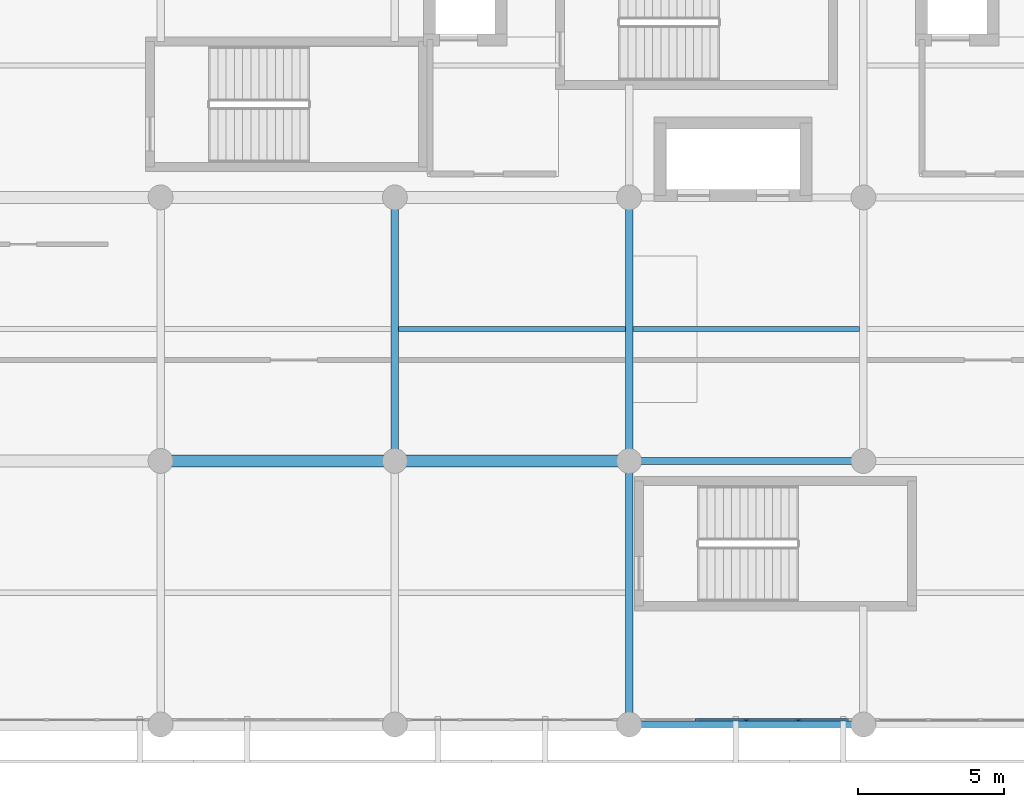
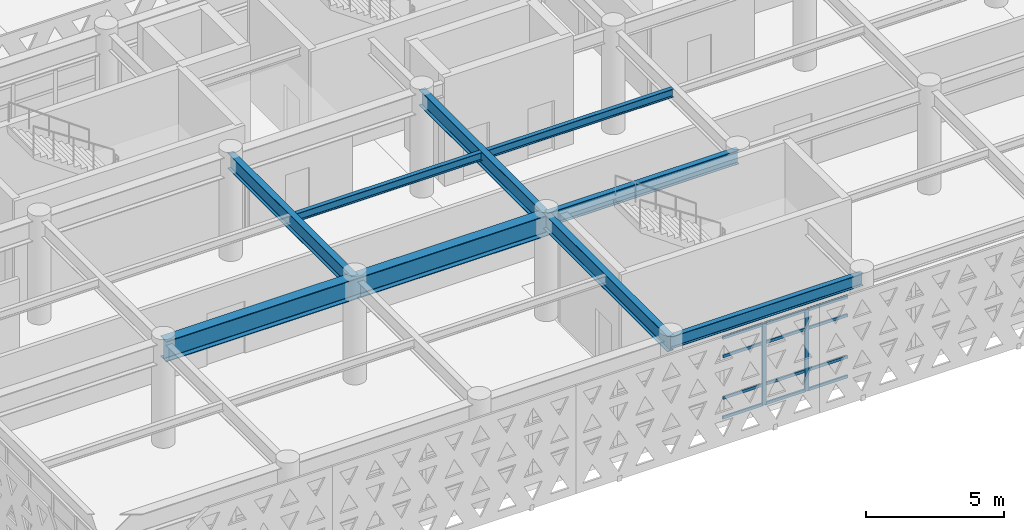
# One storey, part 8 of 54: 14 members, 8 beams, 1 element without a shape of its own.
"""IFC4 building model written with IfcOpenShell, lengths in metres."""

import ifcopenshell
import ifcopenshell.guid

model = None  # the IFC model being written
_history = None  # IfcOwnerHistory: only IFC2X3 demands one
_inside = {}  # id of a spatial element -> (the spatial element, [elements in it])
_under = {}  # id of a project, library or spatial element -> (it, [spatial elements below it])
_declared = {}  # id of a project -> (the project, [libraries it declares])
_typed = {}  # id of a type object -> (the type object, [elements of that type])
_made_of = {}  # id of a material, layer set ... -> (it, [elements and type objects made of it])


def new_model(schema):
    """Start an empty IFC model of exactly this schema.

    Asked for "IFC4X3", IfcOpenShell would pick the latest addendum, in which some entities
    have other attributes; the version numbers below select the first issue.
    IFC2X3 requires an IfcOwnerHistory on every rooted entity: one is made here for all.
    """
    global model, _history
    if schema == "IFC4X3":
        model = ifcopenshell.file(schema_version=(4, 3, 0, 0))
    else:
        model = ifcopenshell.file(schema=schema)
    _inside.clear()
    _under.clear()
    _declared.clear()
    _typed.clear()
    _made_of.clear()
    _history = None
    if model.schema == "IFC2X3":
        org = make("IfcOrganization", Name="unknown")
        user = make(
            "IfcPersonAndOrganization",
            ThePerson=make("IfcPerson", FamilyName="unknown"),
            TheOrganization=org,
        )
        app = make(
            "IfcApplication",
            ApplicationDeveloper=org,
            Version="unknown",
            ApplicationFullName="unknown",
            ApplicationIdentifier="unknown",
        )
        _history = make(
            "IfcOwnerHistory",
            OwningUser=user,
            OwningApplication=app,
            ChangeAction="ADDED",
            CreationDate=0,
        )
    return model


def make(cls, **values):
    """One entity of the class cls with the attributes given. An attribute that is None is left unset."""
    return model.create_entity(
        cls, **{name: value for name, value in values.items() if value is not None}
    )


def rooted(cls, **values):
    """An entity with a GlobalId (a new one), such as an element, a storey or a relation."""
    return make(cls, GlobalId=ifcopenshell.guid.new(), OwnerHistory=_history, **values)


def si_unit(unit_type, name, prefix=None):
    """IfcSIUnit, for example si_unit("LENGTHUNIT", "METRE", prefix="MILLI")."""
    return make("IfcSIUnit", UnitType=unit_type, Prefix=prefix, Name=name)


def assignment(units):
    """IfcUnitAssignment: the units of a project."""
    return None if units is None else make("IfcUnitAssignment", Units=units)


def point(xyz):
    """IfcCartesianPoint."""
    return None if xyz is None else make("IfcCartesianPoint", Coordinates=xyz)


def direction(xyz):
    """IfcDirection."""
    return None if xyz is None else make("IfcDirection", DirectionRatios=xyz)


def frame(location, z_axis=None, x_axis=None):
    """IfcAxis2Placement3D, a coordinate frame: its origin and axes. An axis left out is left unset."""
    return make(
        "IfcAxis2Placement3D",
        Location=point(location),
        Axis=direction(z_axis),
        RefDirection=direction(x_axis),
    )


def frame_2d(location, x_axis=None):
    """IfcAxis2Placement2D, a coordinate frame in the plane: its origin and x axis."""
    return make(
        "IfcAxis2Placement2D", Location=point(location), RefDirection=direction(x_axis)
    )


def origin():
    """The frame at (0, 0, 0) with its axes left unset."""
    return frame((0.0, 0.0, 0.0))


def origin_2d():
    """The frame at (0, 0) in the plane with its x axis left unset."""
    return frame_2d((0.0, 0.0))


def place(relative_to, where):
    """IfcLocalPlacement: puts the frame where relative to a parent placement (None: the world)."""
    return make(
        "IfcLocalPlacement", PlacementRelTo=relative_to, RelativePlacement=where
    )


def context(
    kind, dimensions, precision=None, world=None, true_north=None, identifier=None
):
    """IfcGeometricRepresentationContext, for example the 3D "Model" context."""
    return make(
        "IfcGeometricRepresentationContext",
        ContextIdentifier=identifier,
        ContextType=kind,
        CoordinateSpaceDimension=dimensions,
        Precision=precision,
        WorldCoordinateSystem=world,
        TrueNorth=true_north,
    )


def subcontext(parent, identifier, kind, view, scale=None):
    """IfcGeometricRepresentationSubContext, for example "Body" below "Model"."""
    return make(
        "IfcGeometricRepresentationSubContext",
        ContextIdentifier=identifier,
        ContextType=kind,
        ParentContext=parent,
        TargetScale=scale,
        TargetView=view,
    )


def project(units=None, contexts=None):
    """IfcProject with its units and contexts."""
    return rooted(
        "IfcProject",
        Name="project",
        RepresentationContexts=contexts,
        UnitsInContext=assignment(units),
    )


def spatial(cls, under=None, at=None, **own):
    """A site, building, storey or space (cls), placed at a placement, below another one or the project."""
    s = rooted(cls, ObjectPlacement=at, **own)
    if under is not None:
        _under.setdefault(under.id(), (under, []))[1].append(s)
    return s


def profile(cls, at=None, kind="AREA", **sizes):
    """A parametric profile (cls). Its sizes go by their IFC names, for example OverallWidth=200.0."""
    return make(cls, ProfileType=kind, Position=at, **sizes)


def rectangle(**sizes):
    """IfcRectangleProfileDef."""
    return profile("IfcRectangleProfileDef", **sizes)


def i_section(**sizes):
    """IfcIShapeProfileDef."""
    return profile("IfcIShapeProfileDef", **sizes)


def extrude(swept, where, along, depth):
    """IfcExtrudedAreaSolid: the profile swept, set in the frame where, extruded along a direction by depth."""
    return make(
        "IfcExtrudedAreaSolid",
        SweptArea=swept,
        Position=where,
        ExtrudedDirection=direction(along),
        Depth=depth,
    )


def shape(context_of_items, identifier, shape_type, items):
    """IfcShapeRepresentation: the items that make up one representation, for example the "Body"."""
    return make(
        "IfcShapeRepresentation",
        ContextOfItems=context_of_items,
        RepresentationIdentifier=identifier,
        RepresentationType=shape_type,
        Items=items,
    )


def material(Name=None, Category=None):
    """IfcMaterial."""
    return make("IfcMaterial", Name=Name, Category=Category)


def layer(
    of_material, thickness, ventilated=None, Name=None, Category=None, Priority=None
):
    """IfcMaterialLayer: one layer of a wall or slab, of a material (None: an air gap)."""
    return make(
        "IfcMaterialLayer",
        Material=of_material,
        LayerThickness=thickness,
        IsVentilated=ventilated,
        Name=Name,
        Category=Category,
        Priority=Priority,
    )


def layer_set(layers, Name=None):
    """IfcMaterialLayerSet."""
    return make("IfcMaterialLayerSet", MaterialLayers=layers, LayerSetName=Name)


def material_profile(
    of_material, cross_section, Name=None, Category=None, Priority=None
):
    """IfcMaterialProfile: a cross section and its material."""
    return make(
        "IfcMaterialProfile",
        Name=Name,
        Material=of_material,
        Profile=cross_section,
        Priority=Priority,
        Category=Category,
    )


def profile_set(profiles, Name=None, composite=None):
    """IfcMaterialProfileSet."""
    return make(
        "IfcMaterialProfileSet",
        Name=Name,
        MaterialProfiles=profiles,
        CompositeProfile=composite,
    )


def made_of(thing, what):
    """Note that an element or type object is made of a material, layer set ...; save() writes the relation."""
    if what is not None:
        _made_of.setdefault(what.id(), (what, []))[1].append(thing)
    return thing


def type_object(cls, material=None, **own):
    """A type object (cls), such as IfcWallType, which elements share."""
    return made_of(rooted(cls, **own), material)


def element(
    cls,
    number,
    at=None,
    inside=None,
    cuts=None,
    type_object=None,
    material=None,
    context=None,
    identifier="Body",
    shape_type=None,
    held_by="IfcProductDefinitionShape",
    body=None,
    shapes=None,
    **own,
):
    """One element of the class cls, such as IfcWall. Its Tag is "e" and its number.

    at: its placement. inside: the storey or other place that contains it. cuts: it is an
    opening in that element (IfcRelVoidsElement). A single representation is given by context,
    identifier, shape_type and body (its items); several are given by shapes. held_by: the class
    of the entity that holds the representations. save() writes the other relations.
    """
    e = rooted(cls, Tag="e%d" % number, ObjectPlacement=at, **own)
    if body is not None:
        shapes = [shape(context, identifier, shape_type, body)]
    if shapes is not None:
        e.Representation = make(held_by, Representations=shapes)
    if inside is not None:
        _inside.setdefault(inside.id(), (inside, []))[1].append(e)
    if cuts is not None:
        rooted(
            "IfcRelVoidsElement", RelatingBuildingElement=cuts, RelatedOpeningElement=e
        )
    if type_object is not None:
        _typed.setdefault(type_object.id(), (type_object, []))[1].append(e)
    return made_of(e, material)


def aggregate(whole, parts):
    """IfcRelAggregates: a whole, such as a stair, and the parts it consists of."""
    return rooted("IfcRelAggregates", RelatingObject=whole, RelatedObjects=parts)


def save(model, path):
    """Write the relations noted so far, then the file.

    IfcRelAggregates (storeys below a building ...), IfcRelContainedInSpatialStructure (elements
    in a storey), IfcRelDefinesByType, IfcRelAssociatesMaterial and IfcRelDeclares: one each for
    every whole, place, type object, material and project.
    """
    for whole, parts in _under.values():
        aggregate(whole, parts)
    for where, things in _inside.values():
        rooted(
            "IfcRelContainedInSpatialStructure",
            RelatedElements=things,
            RelatingStructure=where,
        )
    for kind, things in _typed.values():
        rooted("IfcRelDefinesByType", RelatedObjects=things, RelatingType=kind)
    for what, things in _made_of.values():
        rooted("IfcRelAssociatesMaterial", RelatedObjects=things, RelatingMaterial=what)
    for by, libraries in _declared.values():
        rooted("IfcRelDeclares", RelatingContext=by, RelatedDefinitions=libraries)
    model.write(path)


model = new_model("IFC4")

# Units and contexts
model_context = context("Model", 3, precision=1e-05, world=origin(), true_north=direction((0.0, 1.0)))
body_context = subcontext(model_context, "Body", "Model", "MODEL_VIEW")
ifc_project = project(units=[si_unit("LENGTHUNIT", "METRE"), si_unit("AREAUNIT", "SQUARE_METRE"), si_unit("VOLUMEUNIT", "CUBIC_METRE"), si_unit("PLANEANGLEUNIT", "RADIAN"), si_unit("MASSUNIT", "GRAM", prefix="KILO")], contexts=[model_context])

# Site, building, storey
site_placement = place(None, origin())
site = spatial("IfcSite", under=ifc_project, at=site_placement, CompositionType="ELEMENT")
building_placement = place(site_placement, origin())
building = spatial("IfcBuilding", under=site, at=building_placement, Name="Tlacozan Convention Centre", CompositionType="ELEMENT")
storey_placement = place(building_placement, frame((0.0, 0.0, 11.39990234375)))
storey = spatial("IfcBuildingStorey", under=building, at=storey_placement, Name="L02", CompositionType="ELEMENT", Elevation=11.39990234375)

# Curtain wall, members
ifc_material_1 = material(Name="Dark Bronze Anodised Aluminium", Category="aluminium")
ifc_layer = layer(ifc_material_1, 0.159912109375)
ifc_layer_set = layer_set([ifc_layer], Name="Dark Bronze Anodised Aluminium")
curtain_wall_type = type_object("IfcCurtainWallType", Name="Unitised Congress L02 South CW03", PredefinedType="NOTDEFINED", material=ifc_layer_set)
curtain_wall_placement = place(storey_placement, origin())
curtain_wall = element("IfcCurtainWall", 1, at=curtain_wall_placement, inside=storey, type_object=curtain_wall_type, Name="L02 CW-03 Run 81", PredefinedType="NOTDEFINED")
ifc_material_profile_1 = material_profile(ifc_material_1, rectangle(XDim=0.06494140625, YDim=0.159912109375, at=origin_2d()), Name="ALU 65x160")
ifc_profile_set_1 = profile_set([ifc_material_profile_1], Name="Dark Bronze Anodised Aluminium")
member_type_1 = type_object("IfcMemberType", Name="Curtain Wall Mullion 65x160", PredefinedType="MULLION", material=ifc_profile_set_1)
member_1_placement = place(storey_placement, frame((28.0, 0.159912109375, 0.0), z_axis=(0.0, 0.0, 1.0), x_axis=(0.0, 1.0, 0.0)))
member_1 = element("IfcMember", 2, at=member_1_placement, type_object=member_type_1, Name="CW-03 mullion 3", PredefinedType="MULLION", context=body_context, shape_type="SweptSolid", body=[
    extrude(rectangle(XDim=0.06494140625, YDim=0.159912109375, at=origin_2d()), origin(), (0.0, 0.0, 1.0), 3.590087890625),
])
member_2_placement = place(storey_placement, frame((29.77490234375, 0.159912109375, 0.0), z_axis=(0.0, 0.0, 1.0), x_axis=(0.0, 1.0, 0.0)))
member_2 = element("IfcMember", 3, at=member_2_placement, type_object=member_type_1, Name="CW-03 mullion 4", PredefinedType="MULLION", context=body_context, shape_type="SweptSolid", body=[
    extrude(rectangle(XDim=0.06494140625, YDim=0.159912109375, at=origin_2d()), origin(), (0.0, 0.0, 1.0), 3.590087890625),
])
ifc_material_profile_2 = material_profile(ifc_material_1, rectangle(XDim=0.06494140625, YDim=0.125, at=origin_2d()), Name="ALU 65x125")
ifc_profile_set_2 = profile_set([ifc_material_profile_2], Name="Dark Bronze Anodised Aluminium")
member_type_2 = type_object("IfcMemberType", Name="Curtain Wall Transom 65x125", PredefinedType="USERDEFINED", material=ifc_profile_set_2)
member_3_placement = place(storey_placement, frame((26.257568359375, 0.159912109375, 0.03271484375), z_axis=(1.0, 0.0, 0.0), x_axis=(0.0, 1.0, 0.0)))
member_3 = element("IfcMember", 4, at=member_3_placement, type_object=member_type_2, Name="CW-03 transom 2.1", ObjectType="TRANSOM", PredefinedType="USERDEFINED", context=body_context, shape_type="SweptSolid", body=[
    extrude(rectangle(XDim=0.06494140625, YDim=0.125, at=origin_2d()), origin(), (0.0, 0.0, 1.0), 1.7099609375),
])
member_4_placement = place(storey_placement, frame((26.257568359375, 0.159912109375, 0.900146484375), z_axis=(1.0, 0.0, 0.0), x_axis=(0.0, 1.0, 0.0)))
member_4 = element("IfcMember", 5, at=member_4_placement, type_object=member_type_2, Name="CW-03 transom 2.2", ObjectType="TRANSOM", PredefinedType="USERDEFINED", context=body_context, shape_type="SweptSolid", body=[
    extrude(rectangle(XDim=0.06494140625, YDim=0.125, at=origin_2d()), origin(), (0.0, 0.0, 1.0), 1.7099609375),
])
member_5_placement = place(storey_placement, frame((26.257568359375, 0.159912109375, 2.739990234375), z_axis=(1.0, 0.0, 0.0), x_axis=(0.0, 1.0, 0.0)))
member_5 = element("IfcMember", 6, at=member_5_placement, type_object=member_type_2, Name="CW-03 transom 2.3", ObjectType="TRANSOM", PredefinedType="USERDEFINED", context=body_context, shape_type="SweptSolid", body=[
    extrude(rectangle(XDim=0.06494140625, YDim=0.125, at=origin_2d()), origin(), (0.0, 0.0, 1.0), 1.7099609375),
])
member_6_placement = place(storey_placement, frame((26.257568359375, 0.159912109375, 3.5576171875), z_axis=(1.0, 0.0, 0.0), x_axis=(0.0, 1.0, 0.0)))
member_6 = element("IfcMember", 7, at=member_6_placement, type_object=member_type_2, Name="CW-03 transom 2.4", ObjectType="TRANSOM", PredefinedType="USERDEFINED", context=body_context, shape_type="SweptSolid", body=[
    extrude(rectangle(XDim=0.06494140625, YDim=0.125, at=origin_2d()), origin(), (0.0, 0.0, 1.0), 1.7099609375),
])
member_7_placement = place(storey_placement, frame((28.032470703125, 0.159912109375, 0.03271484375), z_axis=(1.0, 0.0, 0.0), x_axis=(0.0, 1.0, 0.0)))
member_7 = element("IfcMember", 8, at=member_7_placement, type_object=member_type_2, Name="CW-03 transom 3.1", ObjectType="TRANSOM", PredefinedType="USERDEFINED", context=body_context, shape_type="SweptSolid", body=[
    extrude(rectangle(XDim=0.06494140625, YDim=0.125, at=origin_2d()), origin(), (0.0, 0.0, 1.0), 1.7099609375),
])
member_8_placement = place(storey_placement, frame((28.032470703125, 0.159912109375, 0.900146484375), z_axis=(1.0, 0.0, 0.0), x_axis=(0.0, 1.0, 0.0)))
member_8 = element("IfcMember", 9, at=member_8_placement, type_object=member_type_2, Name="CW-03 transom 3.2", ObjectType="TRANSOM", PredefinedType="USERDEFINED", context=body_context, shape_type="SweptSolid", body=[
    extrude(rectangle(XDim=0.06494140625, YDim=0.125, at=origin_2d()), origin(), (0.0, 0.0, 1.0), 1.7099609375),
])
member_9_placement = place(storey_placement, frame((28.032470703125, 0.159912109375, 2.739990234375), z_axis=(1.0, 0.0, 0.0), x_axis=(0.0, 1.0, 0.0)))
member_9 = element("IfcMember", 10, at=member_9_placement, type_object=member_type_2, Name="CW-03 transom 3.3", ObjectType="TRANSOM", PredefinedType="USERDEFINED", context=body_context, shape_type="SweptSolid", body=[
    extrude(rectangle(XDim=0.06494140625, YDim=0.125, at=origin_2d()), origin(), (0.0, 0.0, 1.0), 1.7099609375),
])
member_10_placement = place(storey_placement, frame((28.032470703125, 0.159912109375, 3.5576171875), z_axis=(1.0, 0.0, 0.0), x_axis=(0.0, 1.0, 0.0)))
member_10 = element("IfcMember", 11, at=member_10_placement, type_object=member_type_2, Name="CW-03 transom 3.4", ObjectType="TRANSOM", PredefinedType="USERDEFINED", context=body_context, shape_type="SweptSolid", body=[
    extrude(rectangle(XDim=0.06494140625, YDim=0.125, at=origin_2d()), origin(), (0.0, 0.0, 1.0), 1.7099609375),
])
member_11_placement = place(storey_placement, frame((29.8076171875, 0.159912109375, 0.03271484375), z_axis=(1.0, 0.0, 0.0), x_axis=(0.0, 1.0, 0.0)))
member_11 = element("IfcMember", 12, at=member_11_placement, type_object=member_type_2, Name="CW-03 transom 4.1", ObjectType="TRANSOM", PredefinedType="USERDEFINED", context=body_context, shape_type="SweptSolid", body=[
    extrude(rectangle(XDim=0.06494140625, YDim=0.125, at=origin_2d()), origin(), (0.0, 0.0, 1.0), 1.677490234375),
])
member_12_placement = place(storey_placement, frame((29.8076171875, 0.159912109375, 0.900146484375), z_axis=(1.0, 0.0, 0.0), x_axis=(0.0, 1.0, 0.0)))
member_12 = element("IfcMember", 13, at=member_12_placement, type_object=member_type_2, Name="CW-03 transom 4.2", ObjectType="TRANSOM", PredefinedType="USERDEFINED", context=body_context, shape_type="SweptSolid", body=[
    extrude(rectangle(XDim=0.06494140625, YDim=0.125, at=origin_2d()), origin(), (0.0, 0.0, 1.0), 1.677490234375),
])
member_13_placement = place(storey_placement, frame((29.8076171875, 0.159912109375, 2.739990234375), z_axis=(1.0, 0.0, 0.0), x_axis=(0.0, 1.0, 0.0)))
member_13 = element("IfcMember", 14, at=member_13_placement, type_object=member_type_2, Name="CW-03 transom 4.3", ObjectType="TRANSOM", PredefinedType="USERDEFINED", context=body_context, shape_type="SweptSolid", body=[
    extrude(rectangle(XDim=0.06494140625, YDim=0.125, at=origin_2d()), origin(), (0.0, 0.0, 1.0), 1.677490234375),
])
member_14_placement = place(storey_placement, frame((29.8076171875, 0.159912109375, 3.5576171875), z_axis=(1.0, 0.0, 0.0), x_axis=(0.0, 1.0, 0.0)))
member_14 = element("IfcMember", 15, at=member_14_placement, type_object=member_type_2, Name="CW-03 transom 4.4", ObjectType="TRANSOM", PredefinedType="USERDEFINED", context=body_context, shape_type="SweptSolid", body=[
    extrude(rectangle(XDim=0.06494140625, YDim=0.125, at=origin_2d()), origin(), (0.0, 0.0, 1.0), 1.677490234375),
])
aggregate(curtain_wall, [member_1, member_2, member_3, member_4, member_5, member_6, member_7, member_8, member_9, member_10, member_11, member_12, member_13, member_14])

# Beams
ifc_material_2 = material(Name="Steel ASTM A992 Grade 50", Category="steel")
ifc_material_profile_3 = material_profile(ifc_material_2, i_section(OverallWidth=0.22900390625, OverallDepth=0.612060546875, WebThickness=0.011962890625, FlangeThickness=0.01953125, FilletRadius=0.012939453125, at=origin_2d()), Name="IR 610x125.0")
ifc_profile_set_3 = profile_set([ifc_material_profile_3], Name="Steel ASTM A992 Grade 50")
beam_type_1 = type_object("IfcBeamType", Name="Floor Beam IR 610x125", PredefinedType="BEAM", material=ifc_profile_set_3)
beam_1_placement = place(storey_placement, frame((24.0, 9.0, 4.244140625), z_axis=(1.0, 0.0, 0.0), x_axis=(0.0, 1.0, 0.0)))
element("IfcBeam", 16, at=beam_1_placement, inside=storey, type_object=beam_type_1, Name="L02 Floor Beam IR 610x125 465", PredefinedType="BEAM", context=body_context, shape_type="SweptSolid", body=[
    extrude(i_section(OverallWidth=0.22900390625, OverallDepth=0.612060546875, WebThickness=0.011962890625, FlangeThickness=0.01953125, FilletRadius=0.012939453125, at=origin_2d()), origin(), (0.0, 0.0, 1.0), 8.0),
])
ifc_material_profile_4 = material_profile(ifc_material_2, i_section(OverallWidth=0.256103515625, OverallDepth=0.693115234375, WebThickness=0.014404296875, FlangeThickness=0.023681640625, FilletRadius=0.014892578125, at=origin_2d()), Name="IR 686x170.0")
ifc_profile_set_4 = profile_set([ifc_material_profile_4], Name="Steel ASTM A992 Grade 50")
beam_type_2 = type_object("IfcBeamType", Name="Girder Steel IR 686x170", PredefinedType="BEAM", material=ifc_profile_set_4)
for number, where, z_axis, x_axis, name in (
    (17, (16.0, 9.0, 4.20361328125), (0.0, 1.0, 0.0), (-1.0, 0.0, 0.0), "L02 Girder Steel IR 686x170 404"),
    (18, (24.0, 0.0, 4.20361328125), (0.0, 1.0, 0.0), (-1.0, 0.0, 0.0), "L02 Girder Steel IR 686x170 406"),
    (19, (24.0, 9.0, 4.20361328125), (0.0, 1.0, 0.0), (-1.0, 0.0, 0.0), "L02 Girder Steel IR 686x170 407"),
):
    element("IfcBeam", number, at=place(storey_placement, frame(where, z_axis=z_axis, x_axis=x_axis)), inside=storey, type_object=beam_type_2, Name=name, PredefinedType="BEAM", context=body_context, shape_type="SweptSolid", body=[
        extrude(i_section(OverallWidth=0.256103515625, OverallDepth=0.693115234375, WebThickness=0.014404296875, FlangeThickness=0.023681640625, FilletRadius=0.014892578125, at=origin_2d()), origin(), (0.0, 0.0, 1.0), 9.0),
    ])
ifc_material_profile_5 = material_profile(ifc_material_2, i_section(OverallWidth=0.2109375, OverallDepth=0.5390625, WebThickness=0.01171875, FlangeThickness=0.018798828125, FilletRadius=0.012939453125, at=origin_2d()), Name="IR 533x109.0")
ifc_profile_set_5 = profile_set([ifc_material_profile_5], Name="Steel ASTM A992 Grade 50")
beam_type_3 = type_object("IfcBeamType", Name="Perimeter Spandrel IR 533x109", PredefinedType="SPANDREL", material=ifc_profile_set_5)
beam_2_placement = place(storey_placement, frame((24.0, 0.0, 4.280517578125), z_axis=(1.0, 0.0, 0.0), x_axis=(0.0, 1.0, 0.0)))
element("IfcBeam", 20, at=beam_2_placement, inside=storey, type_object=beam_type_3, Name="L02 Perimeter Spandrel IR 533x109 464", PredefinedType="SPANDREL", context=body_context, shape_type="SweptSolid", body=[
    extrude(i_section(OverallWidth=0.2109375, OverallDepth=0.5390625, WebThickness=0.01171875, FlangeThickness=0.018798828125, FilletRadius=0.012939453125, at=origin_2d()), origin(), (0.0, 0.0, 1.0), 8.0),
])
ifc_material_profile_6 = material_profile(ifc_material_2, i_section(OverallWidth=0.173095703125, OverallDepth=0.364013671875, WebThickness=0.009033203125, FlangeThickness=0.015625, FilletRadius=0.010009765625, at=origin_2d()), Name="IR 356x67.1")
ifc_profile_set_6 = profile_set([ifc_material_profile_6], Name="Steel ASTM A992 Grade 50")
beam_type_4 = type_object("IfcBeamType", Name="Secondary Joist IR 356x67.1", PredefinedType="JOIST", material=ifc_profile_set_6)
for number, where, z_axis, x_axis, name in (
    (21, (16.1259765625, 13.5, 4.3681640625), (1.0, 0.0, 0.0), (0.0, 1.0, 0.0), "L02 Secondary Joist IR 356x67.1 506"),
    (22, (24.1259765625, 13.5, 4.3681640625), (1.0, 0.0, 0.0), (0.0, 1.0, 0.0), "L02 Secondary Joist IR 356x67.1 508"),
):
    element("IfcBeam", number, at=place(storey_placement, frame(where, z_axis=z_axis, x_axis=x_axis)), inside=storey, type_object=beam_type_4, Name=name, PredefinedType="JOIST", context=body_context, shape_type="SweptSolid", body=[
        extrude(i_section(OverallWidth=0.173095703125, OverallDepth=0.364013671875, WebThickness=0.009033203125, FlangeThickness=0.015625, FilletRadius=0.010009765625, at=origin_2d()), origin(), (0.0, 0.0, 1.0), 7.748046875),
    ])
ifc_material_profile_7 = material_profile(ifc_material_2, i_section(OverallWidth=0.41796875, OverallDepth=0.912109375, WebThickness=0.019287109375, FlangeThickness=0.031982421875, FilletRadius=0.02001953125, at=origin_2d()), Name="IR 914x342.0")
ifc_profile_set_7 = profile_set([ifc_material_profile_7], Name="Steel ASTM A992 Grade 50")
beam_type_5 = type_object("IfcBeamType", Name="Transfer Girder IR 914x342", PredefinedType="BEAM", material=ifc_profile_set_7)
beam_3_placement = place(storey_placement, frame((24.0, 9.0, 4.093994140625), z_axis=(-1.0, 0.0, 0.0), x_axis=(0.0, -1.0, 0.0)))
element("IfcBeam", 23, at=beam_3_placement, inside=storey, type_object=beam_type_5, Name="L02 Transfer Girder IR 914x342 452", PredefinedType="BEAM", context=body_context, shape_type="SweptSolid", body=[
    extrude(i_section(OverallWidth=0.41796875, OverallDepth=0.912109375, WebThickness=0.019287109375, FlangeThickness=0.031982421875, FilletRadius=0.02001953125, at=origin_2d()), origin(), (0.0, 0.0, 1.0), 16.0),
])

save(model, "model.ifc")
